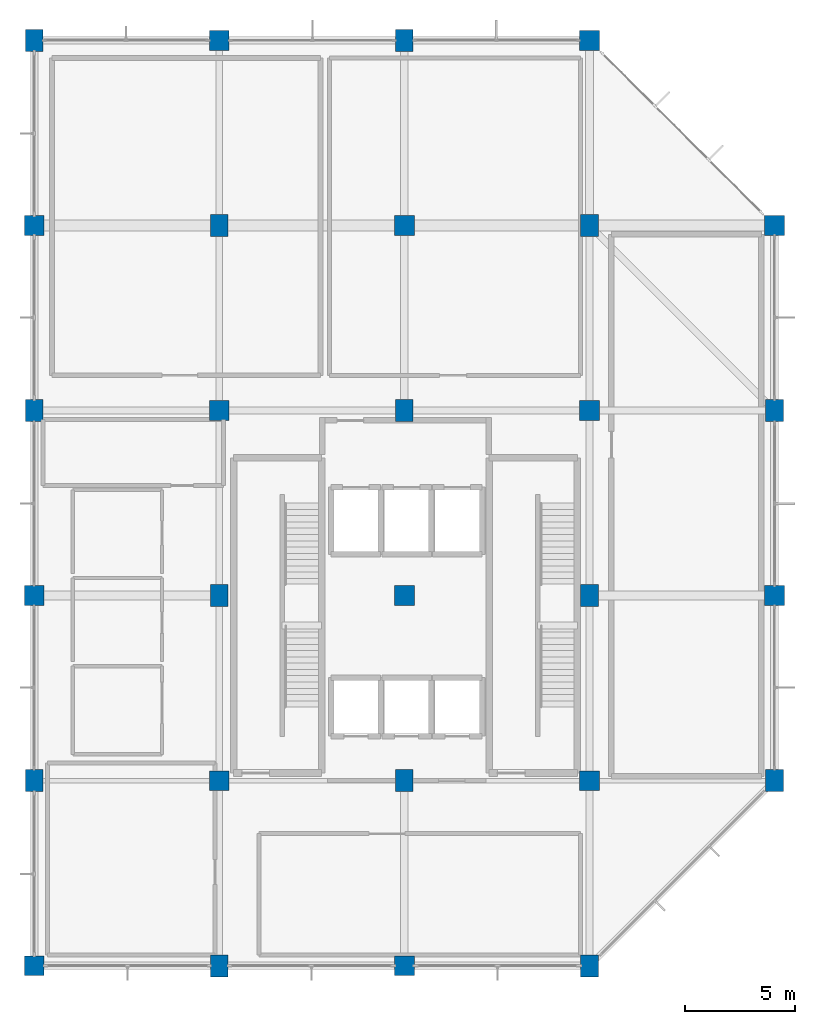
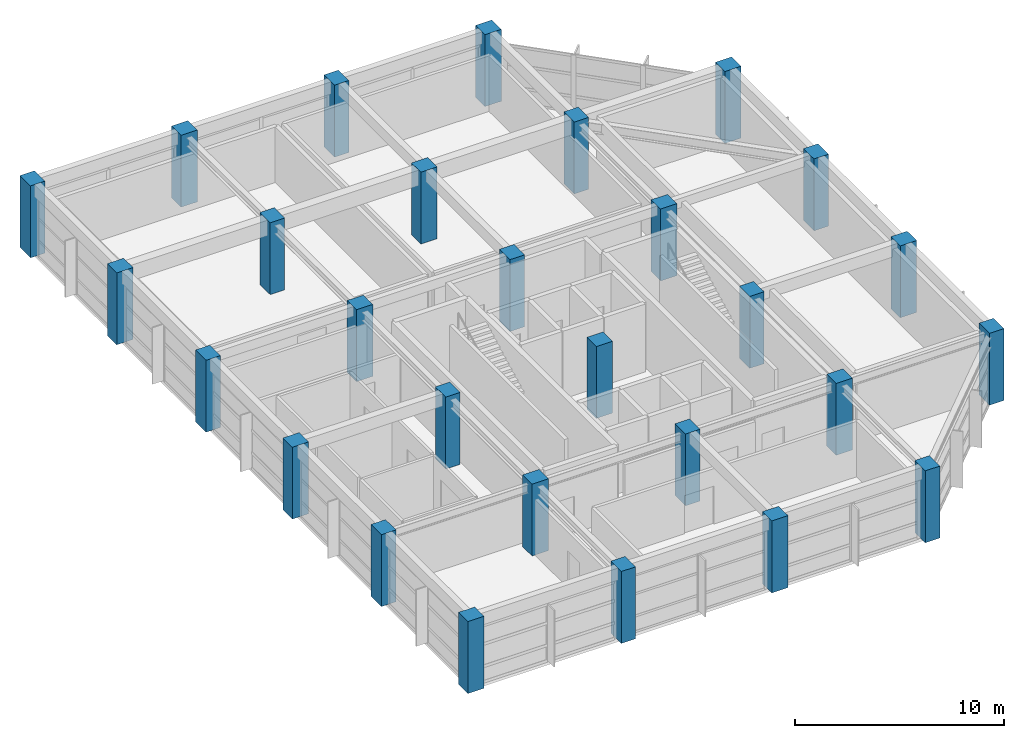
# One storey, part 1 of 12: 28 columns.
"""IFC4 building model written with IfcOpenShell, lengths in metres."""

from ifc_helpers import new_model, si_unit, direction, frame, origin, origin_2d, place, context, subcontext, project, spatial, rectangle, extrude, material, material_profile, profile_set, type_object, element, save


model = new_model("IFC4")

# Units and contexts
model_context = context("Model", 3, precision=1e-05, world=origin(), true_north=direction((0.0, 1.0)))
body_context = subcontext(model_context, "Body", "Model", "MODEL_VIEW")
ifc_project = project(units=[si_unit("LENGTHUNIT", "METRE"), si_unit("AREAUNIT", "SQUARE_METRE"), si_unit("VOLUMEUNIT", "CUBIC_METRE"), si_unit("PLANEANGLEUNIT", "RADIAN"), si_unit("MASSUNIT", "GRAM", prefix="KILO")], contexts=[model_context])

# Site, building, storey
site_placement = place(None, origin())
site = spatial("IfcSite", under=ifc_project, at=site_placement, CompositionType="ELEMENT")
building_placement = place(site_placement, origin())
building = spatial("IfcBuilding", under=site, at=building_placement, Name="Xuanlan Plaza Opera House", CompositionType="ELEMENT")
storey_placement = place(building_placement, frame((0.0, 0.0, 65.699951171875)))
storey = spatial("IfcBuildingStorey", under=building, at=storey_placement, Name="L15", CompositionType="ELEMENT", Elevation=65.699951171875)

# Columns
ifc_material = material(Name="Concrete C50", Category="concrete")
ifc_material_profile_1 = material_profile(ifc_material, rectangle(XDim=0.89990234375, YDim=0.89990234375, at=origin_2d()), Name="RC-COL 900x900")
ifc_profile_set_1 = profile_set([ifc_material_profile_1], Name="Concrete C50")
column_type_1 = type_object("IfcColumnType", Name="STR-COL-C-05", PredefinedType="COLUMN", material=ifc_profile_set_1)
for number, where, z_axis, x_axis, name in (
    (1, (126.0, 42.0, 0.0), (0.0, 0.0, 1.0), (1.0, 0.0, 0.0), "Column L15 16-F"),
    (2, (126.0, 58.800048828125, 0.0), (0.0, 0.0, 1.0), (1.0, 0.0, 0.0), "Column L15 16-H"),
    (3, (126.0, 75.60009765625, 0.0), (0.0, 0.0, 1.0), (1.0, 0.0, 0.0), "Column L15 16-J"),
    (4, (134.39990234375, 50.39990234375, 0.0), (0.0, 0.0, 1.0), (1.0, 0.0, 0.0), "Column L15 17-G"),
    (5, (134.39990234375, 67.199951171875, 0.0), (0.0, 0.0, 1.0), (1.0, 0.0, 0.0), "Column L15 17-I"),
    (6, (134.39990234375, 84.0, 0.0), (0.0, 0.0, 1.0), (1.0, 0.0, 0.0), "Column L15 17-K"),
    (7, (142.800048828125, 42.0, 0.0), (0.0, 0.0, 1.0), (1.0, 0.0, 0.0), "Column L15 18-F"),
    (8, (142.800048828125, 58.800048828125, 0.0), (0.0, 0.0, 1.0), (1.0, 0.0, 0.0), "Column L15 18-H"),
    (9, (142.800048828125, 75.60009765625, 0.0), (0.0, 0.0, 1.0), (1.0, 0.0, 0.0), "Column L15 18-J"),
    (10, (151.199951171875, 50.39990234375, 0.0), (0.0, 0.0, 1.0), (1.0, 0.0, 0.0), "Column L15 19-G"),
    (11, (151.199951171875, 67.199951171875, 0.0), (0.0, 0.0, 1.0), (1.0, 0.0, 0.0), "Column L15 19-I"),
    (12, (151.199951171875, 84.0, 0.0), (0.0, 0.0, 1.0), (1.0, 0.0, 0.0), "Column L15 19-K"),
    (13, (159.60009765625, 58.800048828125, 0.0), (0.0, 0.0, 1.0), (1.0, 0.0, 0.0), "Column L15 20-H"),
    (14, (159.60009765625, 75.60009765625, 0.0), (0.0, 0.0, 1.0), (1.0, 0.0, 0.0), "Column L15 20-J"),
):
    element("IfcColumn", number, at=place(storey_placement, frame(where, z_axis=z_axis, x_axis=x_axis)), inside=storey, type_object=column_type_1, Name=name, PredefinedType="COLUMN", context=body_context, shape_type="SweptSolid", body=[
        extrude(rectangle(XDim=0.89990234375, YDim=0.89990234375, at=origin_2d()), origin(), (0.0, 0.0, 1.0), 4.199951171875),
    ])
ifc_material_profile_2 = material_profile(ifc_material, rectangle(XDim=0.800048828125, YDim=1.0, at=origin_2d()), Name="RC-COL 800x1000")
ifc_profile_set_2 = profile_set([ifc_material_profile_2], Name="Concrete C50")
column_type_2 = type_object("IfcColumnType", Name="STR-COL-C-09", PredefinedType="COLUMN", material=ifc_profile_set_2)
for number, where, z_axis, x_axis, name in (
    (15, (126.0, 50.39990234375, 0.0), (0.0, 0.0, 1.0), (1.0, 0.0, 0.0), "Column L15 16-G"),
    (16, (126.0, 67.199951171875, 0.0), (0.0, 0.0, 1.0), (1.0, 0.0, 0.0), "Column L15 16-I"),
    (17, (126.0, 84.0, 0.0), (0.0, 0.0, 1.0), (1.0, 0.0, 0.0), "Column L15 16-K"),
    (18, (134.39990234375, 42.0, 0.0), (0.0, 0.0, 1.0), (1.0, 0.0, 0.0), "Column L15 17-F"),
    (19, (134.39990234375, 58.800048828125, 0.0), (0.0, 0.0, 1.0), (1.0, 0.0, 0.0), "Column L15 17-H"),
    (20, (134.39990234375, 75.60009765625, 0.0), (0.0, 0.0, 1.0), (1.0, 0.0, 0.0), "Column L15 17-J"),
    (21, (142.800048828125, 50.39990234375, 0.0), (0.0, 0.0, 1.0), (1.0, 0.0, 0.0), "Column L15 18-G"),
    (22, (142.800048828125, 67.199951171875, 0.0), (0.0, 0.0, 1.0), (1.0, 0.0, 0.0), "Column L15 18-I"),
    (23, (142.800048828125, 84.0, 0.0), (0.0, 0.0, 1.0), (1.0, 0.0, 0.0), "Column L15 18-K"),
    (24, (151.199951171875, 42.0, 0.0), (0.0, 0.0, 1.0), (1.0, 0.0, 0.0), "Column L15 19-F"),
    (25, (151.199951171875, 58.800048828125, 0.0), (0.0, 0.0, 1.0), (1.0, 0.0, 0.0), "Column L15 19-H"),
    (26, (151.199951171875, 75.60009765625, 0.0), (0.0, 0.0, 1.0), (1.0, 0.0, 0.0), "Column L15 19-J"),
    (27, (159.60009765625, 50.39990234375, 0.0), (0.0, 0.0, 1.0), (1.0, 0.0, 0.0), "Column L15 20-G"),
    (28, (159.60009765625, 67.199951171875, 0.0), (0.0, 0.0, 1.0), (1.0, 0.0, 0.0), "Column L15 20-I"),
):
    element("IfcColumn", number, at=place(storey_placement, frame(where, z_axis=z_axis, x_axis=x_axis)), inside=storey, type_object=column_type_2, Name=name, PredefinedType="COLUMN", context=body_context, shape_type="SweptSolid", body=[
        extrude(rectangle(XDim=0.800048828125, YDim=1.0, at=origin_2d()), origin(), (0.0, 0.0, 1.0), 4.199951171875),
    ])

save(model, "model.ifc")
